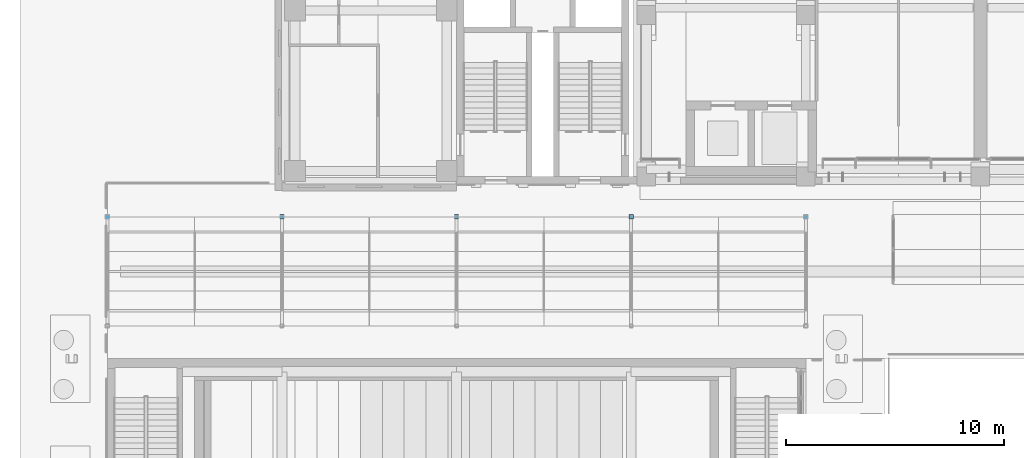
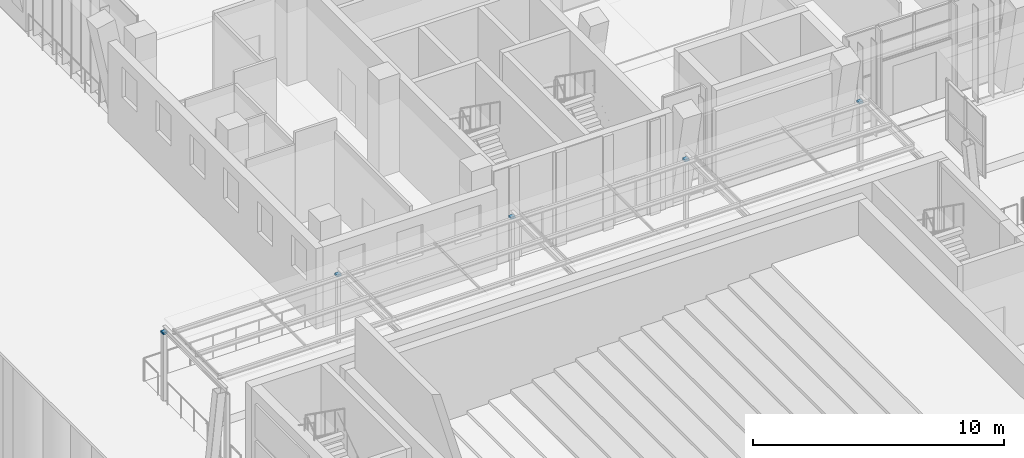
# One storey, part 117 of 144: 5 discrete accessories.
"""IFC4 building model written with IfcOpenShell, lengths in metres."""

from ifc_helpers import new_model, si_unit, direction, frame, origin, origin_2d, place, context, subcontext, project, spatial, rectangle, extrude, element, save


model = new_model("IFC4")

# Units and contexts
model_context = context("Model", 3, precision=1e-05, world=origin(), true_north=direction((0.0, 1.0)))
body_context = subcontext(model_context, "Body", "Model", "MODEL_VIEW")
ifc_project = project(units=[si_unit("LENGTHUNIT", "METRE"), si_unit("AREAUNIT", "SQUARE_METRE"), si_unit("VOLUMEUNIT", "CUBIC_METRE"), si_unit("PLANEANGLEUNIT", "RADIAN"), si_unit("MASSUNIT", "GRAM", prefix="KILO")], contexts=[model_context])

# Site, building, storey
site_placement = place(None, origin())
site = spatial("IfcSite", under=ifc_project, at=site_placement, CompositionType="ELEMENT")
building_placement = place(site_placement, origin())
building = spatial("IfcBuilding", under=site, at=building_placement, Name="Lantern Court Media Centre", CompositionType="ELEMENT")
storey_placement = place(building_placement, origin())
storey = spatial("IfcBuildingStorey", under=building, at=storey_placement, Name="L00", CompositionType="ELEMENT", Elevation=0.0)

# Discrete accessories
for number, where, z_axis, x_axis, name in (
    (1, (0.0, 46.5, 3.22998046875), (0.0, 0.0, 1.0), (1.0, 0.0, 0.0), "Cloister sliding shoe 1-1"),
    (2, (8.0, 46.5, 3.22998046875), (0.0, 0.0, 1.0), (1.0, 0.0, 0.0), "Cloister sliding shoe 1-2"),
    (3, (16.0, 46.5, 3.22998046875), (0.0, 0.0, 1.0), (1.0, 0.0, 0.0), "Cloister sliding shoe 1-3"),
    (4, (24.0, 46.5, 3.22998046875), (0.0, 0.0, 1.0), (1.0, 0.0, 0.0), "Cloister sliding shoe 1-4"),
    (5, (32.0, 46.5, 3.22998046875), (0.0, 0.0, 1.0), (1.0, 0.0, 0.0), "Cloister sliding shoe 1-5"),
):
    element("IfcDiscreteAccessory", number, at=place(storey_placement, frame(where, z_axis=z_axis, x_axis=x_axis)), inside=storey, Name=name, PredefinedType="SHOE", context=body_context, shape_type="SweptSolid", body=[
        extrude(rectangle(XDim=0.199951171875, YDim=0.199951171875, at=origin_2d()), origin(), (0.0, 0.0, 1.0), 0.10009765625),
    ])

save(model, "model.ifc")
